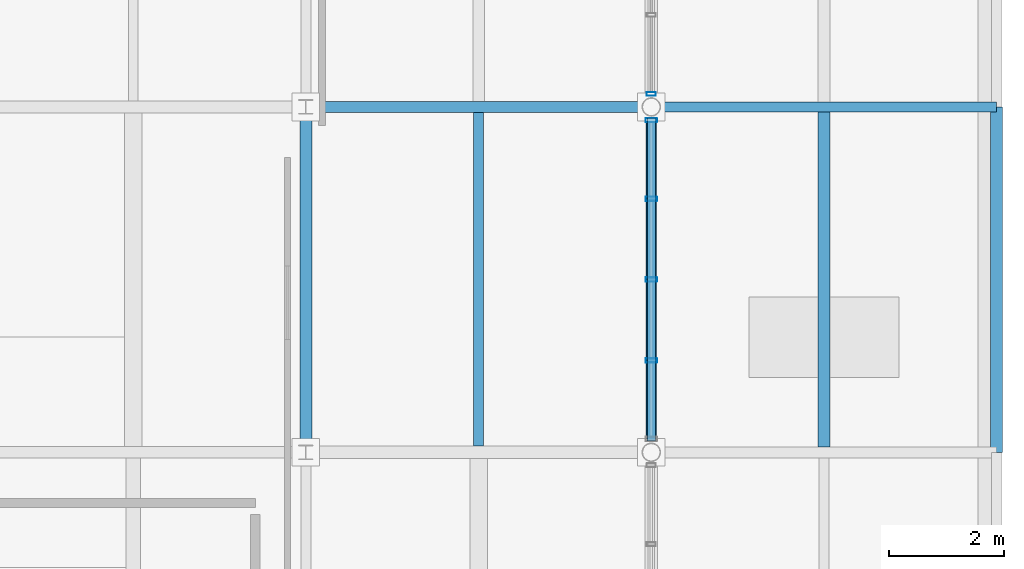
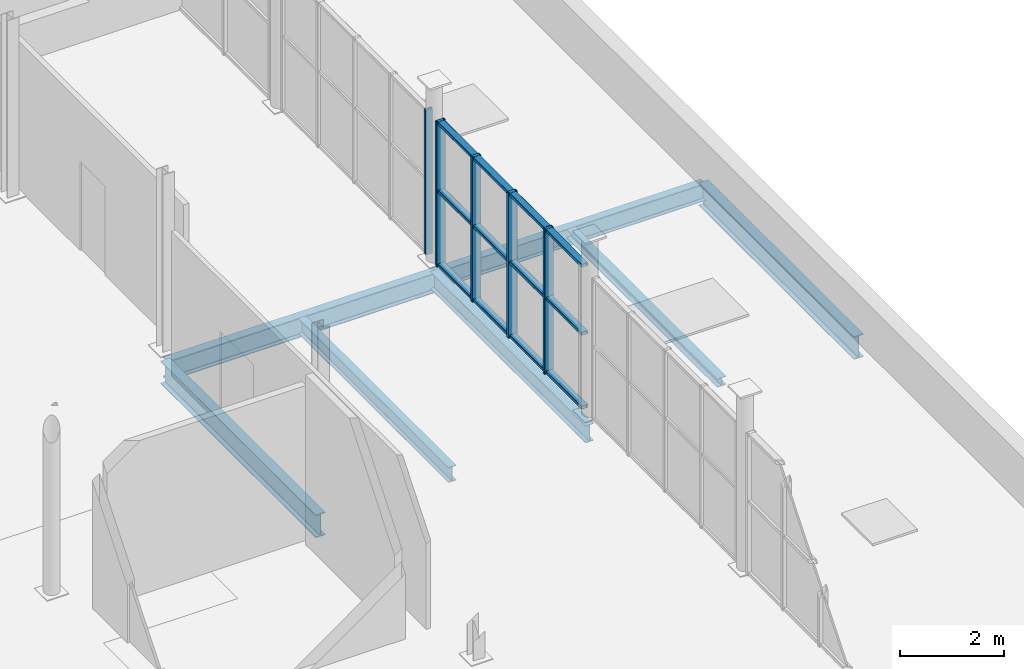
# One storey, part 13 of 27: 8 members, 7 beams, 2 elements without a shape of their own.
"""IFC4 building model written with IfcOpenShell, lengths in metres."""

from ifc_helpers import new_model, si_unit, direction, frame, origin, origin_2d, place, context, subcontext, project, spatial, hollow_rectangle, i_section, extrude, material, material_profile, profile_set, type_object, element, aggregate, save


model = new_model("IFC4")

# Units and contexts
model_context = context("Model", 3, precision=1e-05, world=origin(), true_north=direction((0.0, 1.0)))
body_context = subcontext(model_context, "Body", "Model", "MODEL_VIEW")
ifc_project = project(units=[si_unit("LENGTHUNIT", "METRE"), si_unit("AREAUNIT", "SQUARE_METRE"), si_unit("VOLUMEUNIT", "CUBIC_METRE"), si_unit("PLANEANGLEUNIT", "RADIAN"), si_unit("MASSUNIT", "GRAM", prefix="KILO")], contexts=[model_context])

# Site, building, storey
site_placement = place(None, origin())
site = spatial("IfcSite", under=ifc_project, at=site_placement, CompositionType="ELEMENT")
building_placement = place(site_placement, origin())
building = spatial("IfcBuilding", under=site, at=building_placement, Name="Verrall Gate Interchange", CompositionType="ELEMENT")
storey_placement = place(building_placement, frame((0.0, 0.0, 28.60009765625)))
storey = spatial("IfcBuildingStorey", under=building, at=storey_placement, Name="L07", CompositionType="ELEMENT", Elevation=28.60009765625)

# Beams
ifc_material_1 = material(Name="Structural Steel CSA G40.21 350W", Category="steel")
ifc_material_profile_1 = material_profile(ifc_material_1, i_section(OverallWidth=0.2109375, OverallDepth=0.5390625, WebThickness=0.01171875, FlangeThickness=0.018798828125, FilletRadius=0.013916015625, at=origin_2d()), Name="W530x109")
ifc_profile_set_1 = profile_set([ifc_material_profile_1], Name="Structural Steel CSA G40.21 350W")
beam_type_1 = type_object("IfcBeamType", Name="B-10 Structural Beam W530x109", PredefinedType="BEAM", material=ifc_profile_set_1)
for number, where, z_axis, x_axis, name in (
    (1, (24.0, 28.0, -0.529541015625), (0.0, 1.0, 0.0), (-1.0, 0.0, 0.0), "L07 Girder BM-L07-3295 (B-10)"),
    (2, (36.0, 28.0, -0.529541015625), (0.0, 1.0, 0.0), (-1.0, 0.0, 0.0), "L07 Girder BM-L07-3313 (B-10)"),
):
    element("IfcBeam", number, at=place(storey_placement, frame(where, z_axis=z_axis, x_axis=x_axis)), inside=storey, type_object=beam_type_1, Name=name, PredefinedType="BEAM", context=body_context, shape_type="SweptSolid", body=[
        extrude(i_section(OverallWidth=0.2109375, OverallDepth=0.5390625, WebThickness=0.01171875, FlangeThickness=0.018798828125, FilletRadius=0.013916015625, at=origin_2d()), origin(), (0.0, 0.0, 1.0), 6.0),
    ])
ifc_material_2 = material(Name="Structural Steel CSA G40.21 350W", Category="steel")
ifc_material_profile_2 = material_profile(ifc_material_2, i_section(OverallWidth=0.19189453125, OverallDepth=0.462890625, WebThickness=0.010498046875, FlangeThickness=0.017578125, FilletRadius=0.012939453125, at=origin_2d()), Name="W460x89")
ifc_profile_set_2 = profile_set([ifc_material_profile_2], Name="Structural Steel CSA G40.21 350W")
beam_type_2 = type_object("IfcBeamType", Name="B-11 Structural Beam W460x89", PredefinedType="BEAM", material=ifc_profile_set_2)
beam_1_placement = place(storey_placement, frame((24.0, 34.0, -0.49169921875), z_axis=(1.0, 0.0, 0.0), x_axis=(0.0, 1.0, 0.0)))
element("IfcBeam", 3, at=beam_1_placement, inside=storey, type_object=beam_type_2, Name="L07 Girder BM-L07-3245 (B-11)", PredefinedType="BEAM", context=body_context, shape_type="SweptSolid", body=[
    extrude(i_section(OverallWidth=0.19189453125, OverallDepth=0.462890625, WebThickness=0.010498046875, FlangeThickness=0.017578125, FilletRadius=0.012939453125, at=origin_2d()), origin(), (0.0, 0.0, 1.0), 6.0),
])
ifc_material_3 = material(Name="Structural Steel CSA G40.21 350W", Category="steel")
ifc_material_profile_3 = material_profile(ifc_material_3, i_section(OverallWidth=0.178955078125, OverallDepth=0.409912109375, WebThickness=0.0087890625, FlangeThickness=0.014404296875, FilletRadius=0.011962890625, at=origin_2d()), Name="W410x67")
ifc_profile_set_3 = profile_set([ifc_material_profile_3], Name="Structural Steel CSA G40.21 350W")
beam_type_3 = type_object("IfcBeamType", Name="B-12 Structural Beam W410x67", PredefinedType="BEAM", material=ifc_profile_set_3)
for number, where, z_axis, x_axis, name in (
    (4, (30.0, 34.0, -0.465087890625), (1.0, 0.0, 0.0), (0.0, 1.0, 0.0), "L07 Girder BM-L07-3246 (B-12)"),
    (5, (30.0, 28.0, -0.465087890625), (0.0, 1.0, 0.0), (-1.0, 0.0, 0.0), "L07 Girder BM-L07-3304 (B-12)"),
):
    element("IfcBeam", number, at=place(storey_placement, frame(where, z_axis=z_axis, x_axis=x_axis)), inside=storey, type_object=beam_type_3, Name=name, PredefinedType="BEAM", context=body_context, shape_type="SweptSolid", body=[
        extrude(i_section(OverallWidth=0.178955078125, OverallDepth=0.409912109375, WebThickness=0.0087890625, FlangeThickness=0.014404296875, FilletRadius=0.011962890625, at=origin_2d()), origin(), (0.0, 0.0, 1.0), 6.0),
    ])

# Curtain wall, member
ifc_material_4 = material(Name="Thermally Broken Anodized Aluminium Curtain Wall Framing", Category="aluminium")
curtain_wall_type = type_object("IfcCurtainWallType", Name="CW-50 Unitized Curtain Wall 5647x3420", PredefinedType="NOTDEFINED", material=ifc_material_4)
curtain_wall_1_placement = place(storey_placement, origin())
curtain_wall_1 = element("IfcCurtainWall", 6, at=curtain_wall_1_placement, inside=storey, type_object=curtain_wall_type, Name="L07 Unitized Curtain Wall CW-L07-160", PredefinedType="NOTDEFINED")
ifc_material_5 = material(Name="Thermally Broken Anodized Aluminium Curtain Wall Framing", Category="aluminium")
ifc_material_profile_4 = material_profile(ifc_material_5, hollow_rectangle(XDim=0.06494140625, YDim=0.159912109375, WallThickness=0.00390625, InnerFilletRadius=0.00390625, OuterFilletRadius=0.008056640625, at=origin_2d()), Name="CWM160x65x4")
ifc_profile_set_4 = profile_set([ifc_material_profile_4], Name="Thermally Broken Anodized Aluminium Curtain Wall Framing")
member_type_1 = type_object("IfcMemberType", Name="CM-01 Curtain Mullion CWM160x65x4", PredefinedType="MULLION", material=ifc_profile_set_4)
member_1_placement = place(storey_placement, frame((30.0, 34.226318359375, 0.0), z_axis=(0.0, 0.0, 1.0), x_axis=(0.0, 1.0, 0.0)))
member_1 = element("IfcMember", 7, at=member_1_placement, type_object=member_type_1, Name="CW-L07-160 Mullion 1", PredefinedType="MULLION", context=body_context, shape_type="SweptSolid", body=[
    extrude(hollow_rectangle(XDim=0.06494140625, YDim=0.159912109375, WallThickness=0.00390625, InnerFilletRadius=0.00390625, OuterFilletRadius=0.008056640625, at=origin_2d()), origin(), (0.0, 0.0, 1.0), 3.419921875),
])
aggregate(curtain_wall_1, [member_1])

# Curtain wall, members
curtain_wall_2_placement = place(storey_placement, origin())
curtain_wall_2 = element("IfcCurtainWall", 8, at=curtain_wall_2_placement, inside=storey, type_object=curtain_wall_type, Name="L07 Unitized Curtain Wall CW-L07-159", PredefinedType="NOTDEFINED")
ifc_material_6 = material(Name="Thermally Broken Anodized Aluminium Curtain Wall Framing", Category="aluminium")
ifc_material_profile_5 = material_profile(ifc_material_6, hollow_rectangle(XDim=0.074951171875, YDim=0.199951171875, WallThickness=0.0048828125, InnerFilletRadius=0.0048828125, OuterFilletRadius=0.010009765625, at=origin_2d()), Name="CWM200x75x5")
ifc_profile_set_5 = profile_set([ifc_material_profile_5], Name="Thermally Broken Anodized Aluminium Curtain Wall Framing")
member_type_2 = type_object("IfcMemberType", Name="CM-02 Curtain Mullion CWM200x75x5", PredefinedType="MULLION", material=ifc_profile_set_5)
member_2_placement = place(storey_placement, frame((30.0, 29.596923828125, 0.0), z_axis=(0.0, 0.0, 1.0), x_axis=(0.0, 1.0, 0.0)))
member_2 = element("IfcMember", 9, at=member_2_placement, type_object=member_type_2, Name="CW-L07-159 Mullion 2", PredefinedType="MULLION", context=body_context, shape_type="SweptSolid", body=[
    extrude(hollow_rectangle(XDim=0.074951171875, YDim=0.199951171875, WallThickness=0.0048828125, InnerFilletRadius=0.0048828125, OuterFilletRadius=0.010009765625, at=origin_2d()), origin(), (0.0, 0.0, 1.0), 3.419921875),
])
member_3_placement = place(storey_placement, frame((30.0, 31.0, 0.0), z_axis=(0.0, 0.0, 1.0), x_axis=(0.0, 1.0, 0.0)))
member_3 = element("IfcMember", 10, at=member_3_placement, type_object=member_type_2, Name="CW-L07-159 Mullion 3", PredefinedType="MULLION", context=body_context, shape_type="SweptSolid", body=[
    extrude(hollow_rectangle(XDim=0.074951171875, YDim=0.199951171875, WallThickness=0.0048828125, InnerFilletRadius=0.0048828125, OuterFilletRadius=0.010009765625, at=origin_2d()), origin(), (0.0, 0.0, 1.0), 3.419921875),
])
member_4_placement = place(storey_placement, frame((30.0, 32.403076171875, 0.0), z_axis=(0.0, 0.0, 1.0), x_axis=(0.0, 1.0, 0.0)))
member_4 = element("IfcMember", 11, at=member_4_placement, type_object=member_type_2, Name="CW-L07-159 Mullion 4", PredefinedType="MULLION", context=body_context, shape_type="SweptSolid", body=[
    extrude(hollow_rectangle(XDim=0.074951171875, YDim=0.199951171875, WallThickness=0.0048828125, InnerFilletRadius=0.0048828125, OuterFilletRadius=0.010009765625, at=origin_2d()), origin(), (0.0, 0.0, 1.0), 3.419921875),
])
member_5_placement = place(storey_placement, frame((30.0, 33.7685546875, 0.0), z_axis=(0.0, 0.0, 1.0), x_axis=(0.0, 1.0, 0.0)))
member_5 = element("IfcMember", 12, at=member_5_placement, type_object=member_type_2, Name="CW-L07-159 Mullion 5", PredefinedType="MULLION", context=body_context, shape_type="SweptSolid", body=[
    extrude(hollow_rectangle(XDim=0.074951171875, YDim=0.199951171875, WallThickness=0.0048828125, InnerFilletRadius=0.0048828125, OuterFilletRadius=0.010009765625, at=origin_2d()), origin(), (0.0, 0.0, 1.0), 3.419921875),
])
ifc_material_7 = material(Name="Thermally Broken Anodized Aluminium Curtain Wall Framing", Category="aluminium")
ifc_material_profile_6 = material_profile(ifc_material_7, hollow_rectangle(XDim=0.14990234375, YDim=0.074951171875, WallThickness=0.00439453125, InnerFilletRadius=0.00439453125, OuterFilletRadius=0.009033203125, at=origin_2d()), Name="CWT150x75x4.5")
ifc_profile_set_6 = profile_set([ifc_material_profile_6], Name="Thermally Broken Anodized Aluminium Curtain Wall Framing")
member_type_3 = type_object("IfcMemberType", Name="CT-02 Curtain Transom CWT150x75x4.5", PredefinedType="USERDEFINED", material=ifc_profile_set_6)
member_6_placement = place(storey_placement, frame((30.0, 28.194091796875, 0.037353515625), z_axis=(0.0, 1.0, 0.0), x_axis=(-1.0, 0.0, 0.0)))
member_6 = element("IfcMember", 13, at=member_6_placement, type_object=member_type_3, Name="CW-L07-159 Transom 1", ObjectType="TRANSOM", PredefinedType="USERDEFINED", context=body_context, shape_type="SweptSolid", body=[
    extrude(hollow_rectangle(XDim=0.14990234375, YDim=0.074951171875, WallThickness=0.00439453125, InnerFilletRadius=0.00439453125, OuterFilletRadius=0.009033203125, at=origin_2d()), origin(), (0.0, 0.0, 1.0), 5.612060546875),
])
member_7_placement = place(storey_placement, frame((30.0, 28.194091796875, 1.7783203125), z_axis=(0.0, 1.0, 0.0), x_axis=(-1.0, 0.0, 0.0)))
member_7 = element("IfcMember", 14, at=member_7_placement, type_object=member_type_3, Name="CW-L07-159 Transom 2", ObjectType="TRANSOM", PredefinedType="USERDEFINED", context=body_context, shape_type="SweptSolid", body=[
    extrude(hollow_rectangle(XDim=0.14990234375, YDim=0.074951171875, WallThickness=0.00439453125, InnerFilletRadius=0.00439453125, OuterFilletRadius=0.009033203125, at=origin_2d()), origin(), (0.0, 0.0, 1.0), 5.612060546875),
])
member_8_placement = place(storey_placement, frame((30.0, 28.194091796875, 3.38232421875), z_axis=(0.0, 1.0, 0.0), x_axis=(-1.0, 0.0, 0.0)))
member_8 = element("IfcMember", 15, at=member_8_placement, type_object=member_type_3, Name="CW-L07-159 Transom 3", ObjectType="TRANSOM", PredefinedType="USERDEFINED", context=body_context, shape_type="SweptSolid", body=[
    extrude(hollow_rectangle(XDim=0.14990234375, YDim=0.074951171875, WallThickness=0.00439453125, InnerFilletRadius=0.00439453125, OuterFilletRadius=0.009033203125, at=origin_2d()), origin(), (0.0, 0.0, 1.0), 5.612060546875),
])
aggregate(curtain_wall_2, [member_2, member_3, member_4, member_5, member_6, member_7, member_8])

# Beams
ifc_material_8 = material(Name="Structural Steel CSA G40.21 350W", Category="steel")
ifc_material_profile_7 = material_profile(ifc_material_8, i_section(OverallWidth=0.172119140625, OverallDepth=0.35791015625, WebThickness=0.0078125, FlangeThickness=0.01318359375, FilletRadius=0.010986328125, at=origin_2d()), Name="W360x57")
ifc_profile_set_7 = profile_set([ifc_material_profile_7], Name="Structural Steel CSA G40.21 350W")
beam_type_4 = type_object("IfcBeamType", Name="J-01 Floor Joist W360x57", PredefinedType="JOIST", material=ifc_profile_set_7)
beam_2_placement = place(storey_placement, frame((27.0, 28.10546875, -0.439208984375), z_axis=(0.0, 1.0, 0.0), x_axis=(-1.0, 0.0, 0.0)))
element("IfcBeam", 16, at=beam_2_placement, inside=storey, type_object=beam_type_4, Name="L07 Secondary Floor Joist JST-L07-3334", PredefinedType="JOIST", context=body_context, shape_type="SweptSolid", body=[
    extrude(i_section(OverallWidth=0.172119140625, OverallDepth=0.35791015625, WebThickness=0.0078125, FlangeThickness=0.01318359375, FilletRadius=0.010986328125, at=origin_2d()), origin(), (0.0, 0.0, 1.0), 5.798583984375),
])
ifc_material_9 = material(Name="Structural Steel CSA G40.21 350W", Category="steel")
ifc_material_profile_8 = material_profile(ifc_material_9, i_section(OverallWidth=0.202880859375, OverallDepth=0.202880859375, WebThickness=0.007080078125, FlangeThickness=0.010986328125, FilletRadius=0.010009765625, at=origin_2d()), Name="W200x46")
ifc_profile_set_8 = profile_set([ifc_material_profile_8], Name="Structural Steel CSA G40.21 350W")
beam_type_5 = type_object("IfcBeamType", Name="J-07 Floor Joist W200x46", PredefinedType="JOIST", material=ifc_profile_set_8)
beam_3_placement = place(storey_placement, frame((33.0, 28.095947265625, -0.361572265625), z_axis=(0.0, 1.0, 0.0), x_axis=(-1.0, 0.0, 0.0)))
element("IfcBeam", 17, at=beam_3_placement, inside=storey, type_object=beam_type_5, Name="L07 Secondary Floor Joist JST-L07-3335", PredefinedType="JOIST", context=body_context, shape_type="SweptSolid", body=[
    extrude(i_section(OverallWidth=0.202880859375, OverallDepth=0.202880859375, WebThickness=0.007080078125, FlangeThickness=0.010986328125, FilletRadius=0.010009765625, at=origin_2d()), origin(), (0.0, 0.0, 1.0), 5.814453125),
])

save(model, "model.ifc")
